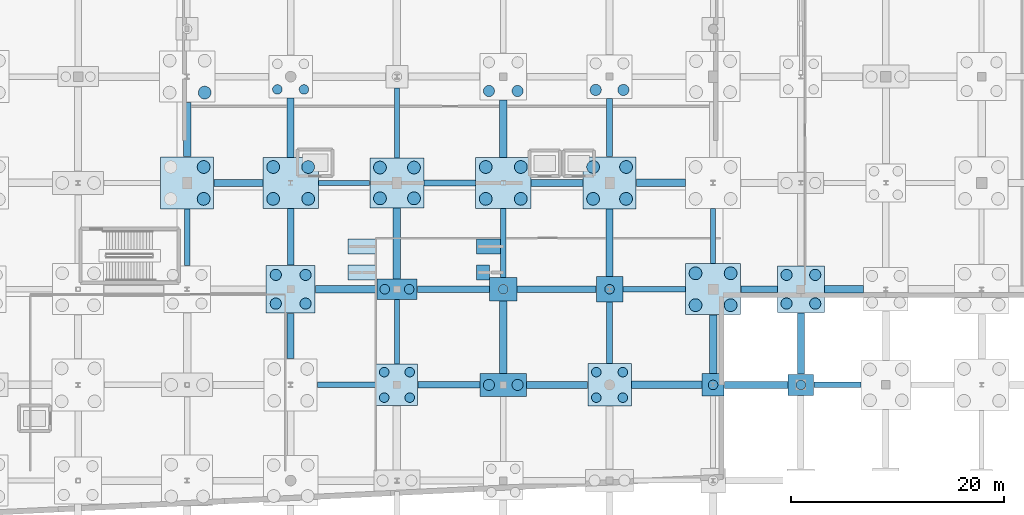
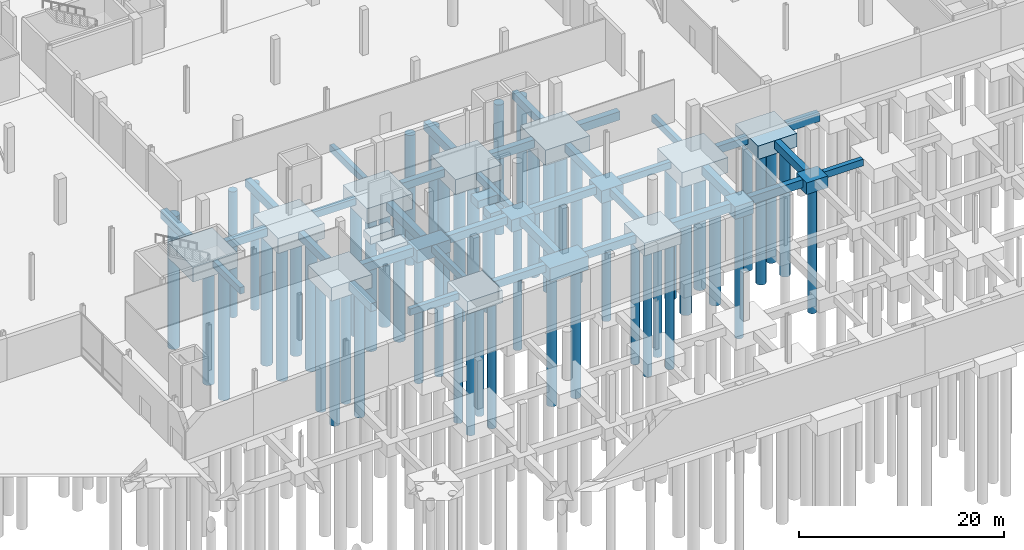
# One storey, part 5 of 60: 54 footings, 53 piles.
"""IFC4 building model written with IfcOpenShell, lengths in metres."""

from ifc_helpers import new_model, si_unit, direction, frame, origin, origin_2d, place, context, subcontext, project, spatial, rectangle, circle, extrude, material, material_profile, profile_set, type_object, element, save


model = new_model("IFC4")

# Units and contexts
model_context = context("Model", 3, precision=1e-05, world=origin(), true_north=direction((0.0, 1.0)))
body_context = subcontext(model_context, "Body", "Model", "MODEL_VIEW")
ifc_project = project(units=[si_unit("LENGTHUNIT", "METRE"), si_unit("AREAUNIT", "SQUARE_METRE"), si_unit("VOLUMEUNIT", "CUBIC_METRE"), si_unit("PLANEANGLEUNIT", "RADIAN"), si_unit("MASSUNIT", "GRAM", prefix="KILO")], contexts=[model_context])

# Site, building, storey
site_placement = place(None, origin())
site = spatial("IfcSite", under=ifc_project, at=site_placement, CompositionType="ELEMENT")
building_placement = place(site_placement, origin())
building = spatial("IfcBuilding", under=site, at=building_placement, Name="Trimount Lyric Opera House", CompositionType="ELEMENT")
storey_placement = place(building_placement, frame((0.0, 0.0, -5.39990234375)))
storey = spatial("IfcBuildingStorey", under=building, at=storey_placement, Name="B1", CompositionType="ELEMENT", Elevation=-5.39990234375)

# Footings
ifc_material_1 = material(Name="Concrete C40/50", Category="concrete")
footing_type_1 = type_object("IfcFootingType", Name="FB-01", PredefinedType="FOOTING_BEAM", material=ifc_material_1)
footing_1_placement = place(storey_placement, frame((64.260009765625, 59.02490234375, -1.60009765625), z_axis=(0.0, 0.0, 1.0), x_axis=(1.0, 0.0, 0.0)))
element("IfcFooting", 1, at=footing_1_placement, inside=storey, type_object=footing_type_1, Name="Ground tie beam Y-0156", PredefinedType="FOOTING_BEAM", context=body_context, shape_type="SweptSolid", body=[
    extrude(rectangle(XDim=0.699951171875, YDim=5.1201171875, at=origin_2d()), origin(), (0.0, 0.0, 1.0), 1.0),
])
footing_2_placement = place(storey_placement, frame((79.199951171875, 44.0, -1.60009765625), z_axis=(0.0, 0.0, 1.0), x_axis=(1.0, 0.0, 0.0)))
element("IfcFooting", 2, at=footing_2_placement, inside=storey, type_object=footing_type_1, Name="Ground tie beam X-0176", PredefinedType="FOOTING_BEAM", context=body_context, shape_type="SweptSolid", body=[
    extrude(rectangle(XDim=5.77001953125, YDim=0.699951171875, at=origin_2d()), origin(), (0.0, 0.0, 1.0), 1.0),
])
footing_3_placement = place(storey_placement, frame((84.0, 48.300048828125, -1.60009765625), z_axis=(0.0, 0.0, 1.0), x_axis=(1.0, 0.0, 0.0)))
element("IfcFooting", 3, at=footing_3_placement, inside=storey, type_object=footing_type_1, Name="Ground tie beam Y-0200", PredefinedType="FOOTING_BEAM", context=body_context, shape_type="SweptSolid", body=[
    extrude(rectangle(XDim=0.699951171875, YDim=6.669921875, at=origin_2d()), origin(), (0.0, 0.0, 1.0), 1.0),
])
footing_4_placement = place(storey_placement, frame((94.0, 39.487548828125, -1.60009765625), z_axis=(0.0, 0.0, 1.0), x_axis=(1.0, 0.0, 0.0)))
element("IfcFooting", 4, at=footing_4_placement, inside=storey, type_object=footing_type_1, Name="Ground tie beam Y-0224", PredefinedType="FOOTING_BEAM", context=body_context, shape_type="SweptSolid", body=[
    extrude(rectangle(XDim=0.699951171875, YDim=6.794921875, at=origin_2d()), origin(), (0.0, 0.0, 1.0), 1.0),
])
footing_5_placement = place(storey_placement, frame((94.0, 59.10009765625, -1.60009765625), z_axis=(0.0, 0.0, 1.0), x_axis=(1.0, 0.0, 0.0)))
element("IfcFooting", 5, at=footing_5_placement, inside=storey, type_object=footing_type_1, Name="Ground tie beam Y-0228", PredefinedType="FOOTING_BEAM", context=body_context, shape_type="SweptSolid", body=[
    extrude(rectangle(XDim=0.699951171875, YDim=5.3701171875, at=origin_2d()), origin(), (0.0, 0.0, 1.0), 1.0),
])
footing_6_placement = place(storey_placement, frame((109.3701171875, 35.0, -1.60009765625), z_axis=(0.0, 0.0, 1.0), x_axis=(1.0, 0.0, 0.0)))
element("IfcFooting", 6, at=footing_6_placement, inside=storey, type_object=footing_type_1, Name="Ground tie beam X-0248", PredefinedType="FOOTING_BEAM", context=body_context, shape_type="SweptSolid", body=[
    extrude(rectangle(XDim=6.610107421875, YDim=0.699951171875, at=origin_2d()), origin(), (0.0, 0.0, 1.0), 1.0),
])
footing_7_placement = place(storey_placement, frame((108.820068359375, 54.0, -1.60009765625), z_axis=(0.0, 0.0, 1.0), x_axis=(1.0, 0.0, 0.0)))
element("IfcFooting", 7, at=footing_7_placement, inside=storey, type_object=footing_type_1, Name="Ground tie beam X-0252", PredefinedType="FOOTING_BEAM", context=body_context, shape_type="SweptSolid", body=[
    extrude(rectangle(XDim=4.610107421875, YDim=0.699951171875, at=origin_2d()), origin(), (0.0, 0.0, 1.0), 1.0),
])
footing_8_placement = place(storey_placement, frame((113.739990234375, 38.824951171875, -1.60009765625), z_axis=(0.0, 0.0, 1.0), x_axis=(1.0, 0.0, 0.0)))
element("IfcFooting", 8, at=footing_8_placement, inside=storey, type_object=footing_type_1, Name="Ground tie beam Y-0272", PredefinedType="FOOTING_BEAM", context=body_context, shape_type="SweptSolid", body=[
    extrude(rectangle(XDim=0.699951171875, YDim=5.52001953125, at=origin_2d()), origin(), (0.0, 0.0, 1.0), 1.0),
])
footing_9_placement = place(storey_placement, frame((126.050048828125, 44.0, -1.60009765625), z_axis=(0.0, 0.0, 1.0), x_axis=(1.0, 0.0, 0.0)))
element("IfcFooting", 9, at=footing_9_placement, inside=storey, type_object=footing_type_1, Name="Ground tie beam X-0296", PredefinedType="FOOTING_BEAM", context=body_context, shape_type="SweptSolid", body=[
    extrude(rectangle(XDim=3.669921875, YDim=0.699951171875, at=origin_2d()), origin(), (0.0, 0.0, 1.0), 1.0),
])
ifc_material_2 = material(Name="Concrete C40/50", Category="concrete")
footing_type_2 = type_object("IfcFootingType", Name="FB-02", PredefinedType="FOOTING_BEAM", material=ifc_material_2)
footing_10_placement = place(storey_placement, frame((74.0, 48.925048828125, -1.5), z_axis=(0.0, 0.0, 1.0), x_axis=(1.0, 0.0, 0.0)))
element("IfcFooting", 10, at=footing_10_placement, inside=storey, type_object=footing_type_2, Name="Ground tie beam Y-0177", PredefinedType="FOOTING_BEAM", context=body_context, shape_type="SweptSolid", body=[
    extrude(rectangle(XDim=0.60009765625, YDim=5.320068359375, at=origin_2d()), origin(), (0.0, 0.0, 1.0), 0.89990234375),
])
footing_11_placement = place(storey_placement, frame((88.887451171875, 35.0, -1.5), z_axis=(0.0, 0.0, 1.0), x_axis=(1.0, 0.0, 0.0)))
element("IfcFooting", 11, at=footing_11_placement, inside=storey, type_object=footing_type_2, Name="Ground tie beam X-0197", PredefinedType="FOOTING_BEAM", context=body_context, shape_type="SweptSolid", body=[
    extrude(rectangle(XDim=5.844970703125, YDim=0.60009765625, at=origin_2d()), origin(), (0.0, 0.0, 1.0), 0.89990234375),
])
footing_12_placement = place(storey_placement, frame((88.97509765625, 54.0, -1.5), z_axis=(0.0, 0.0, 1.0), x_axis=(1.0, 0.0, 0.0)))
element("IfcFooting", 12, at=footing_12_placement, inside=storey, type_object=footing_type_2, Name="Ground tie beam X-0201", PredefinedType="FOOTING_BEAM", context=body_context, shape_type="SweptSolid", body=[
    extrude(rectangle(XDim=4.820068359375, YDim=0.60009765625, at=origin_2d()), origin(), (0.0, 0.0, 1.0), 0.89990234375),
])
footing_13_placement = place(storey_placement, frame((99.02490234375, 44.0, -1.5), z_axis=(0.0, 0.0, 1.0), x_axis=(1.0, 0.0, 0.0)))
element("IfcFooting", 13, at=footing_13_placement, inside=storey, type_object=footing_type_2, Name="Ground tie beam X-0225", PredefinedType="FOOTING_BEAM", context=body_context, shape_type="SweptSolid", body=[
    extrude(rectangle(XDim=7.419921875, YDim=0.60009765625, at=origin_2d()), origin(), (0.0, 0.0, 1.0), 0.89990234375),
])
footing_14_placement = place(storey_placement, frame((104.0, 39.89990234375, -1.5), z_axis=(0.0, 0.0, 1.0), x_axis=(1.0, 0.0, 0.0)))
element("IfcFooting", 14, at=footing_14_placement, inside=storey, type_object=footing_type_2, Name="Ground tie beam Y-0249", PredefinedType="FOOTING_BEAM", context=body_context, shape_type="SweptSolid", body=[
    extrude(rectangle(XDim=0.60009765625, YDim=5.77001953125, at=origin_2d()), origin(), (0.0, 0.0, 1.0), 0.89990234375),
])
footing_15_placement = place(storey_placement, frame((104.0, 59.199951171875, -1.5), z_axis=(0.0, 0.0, 1.0), x_axis=(1.0, 0.0, 0.0)))
element("IfcFooting", 15, at=footing_15_placement, inside=storey, type_object=footing_type_2, Name="Ground tie beam Y-0253", PredefinedType="FOOTING_BEAM", context=body_context, shape_type="SweptSolid", body=[
    extrude(rectangle(XDim=0.60009765625, YDim=5.469970703125, at=origin_2d()), origin(), (0.0, 0.0, 1.0), 0.89990234375),
])
footing_16_placement = place(storey_placement, frame((118.070068359375, 44.0, -1.5), z_axis=(0.0, 0.0, 1.0), x_axis=(1.0, 0.0, 0.0)))
element("IfcFooting", 16, at=footing_16_placement, inside=storey, type_object=footing_type_2, Name="Ground tie beam X-0273", PredefinedType="FOOTING_BEAM", context=body_context, shape_type="SweptSolid", body=[
    extrude(rectangle(XDim=3.429931640625, YDim=0.60009765625, at=origin_2d()), origin(), (0.0, 0.0, 1.0), 0.89990234375),
])
ifc_material_3 = material(Name="Concrete C40/50", Category="concrete")
footing_type_3 = type_object("IfcFootingType", Name="FB-03", PredefinedType="FOOTING_BEAM", material=ifc_material_3)
footing_17_placement = place(storey_placement, frame((64.260009765625, 48.875, -1.39990234375), z_axis=(0.0, 0.0, 1.0), x_axis=(1.0, 0.0, 0.0)))
element("IfcFooting", 17, at=footing_17_placement, inside=storey, type_object=footing_type_3, Name="Ground tie beam Y-0154", PredefinedType="FOOTING_BEAM", context=body_context, shape_type="SweptSolid", body=[
    extrude(rectangle(XDim=0.5, YDim=5.320068359375, at=origin_2d()), origin(), (0.0, 0.0, 1.0), 0.800048828125),
])
footing_18_placement = place(storey_placement, frame((79.27490234375, 35.0, -1.39990234375), z_axis=(0.0, 0.0, 1.0), x_axis=(1.0, 0.0, 0.0)))
element("IfcFooting", 18, at=footing_18_placement, inside=storey, type_object=footing_type_3, Name="Ground tie beam X-0174", PredefinedType="FOOTING_BEAM", context=body_context, shape_type="SweptSolid", body=[
    extrude(rectangle(XDim=5.52001953125, YDim=0.5, at=origin_2d()), origin(), (0.0, 0.0, 1.0), 0.800048828125),
])
footing_19_placement = place(storey_placement, frame((79.02490234375, 54.0, -1.39990234375), z_axis=(0.0, 0.0, 1.0), x_axis=(1.0, 0.0, 0.0)))
element("IfcFooting", 19, at=footing_19_placement, inside=storey, type_object=footing_type_3, Name="Ground tie beam X-0178", PredefinedType="FOOTING_BEAM", context=body_context, shape_type="SweptSolid", body=[
    extrude(rectangle(XDim=4.820068359375, YDim=0.5, at=origin_2d()), origin(), (0.0, 0.0, 1.0), 0.800048828125),
])
footing_20_placement = place(storey_placement, frame((84.0, 40.0, -1.39990234375), z_axis=(0.0, 0.0, 1.0), x_axis=(1.0, 0.0, 0.0)))
element("IfcFooting", 20, at=footing_20_placement, inside=storey, type_object=footing_type_3, Name="Ground tie beam Y-0198", PredefinedType="FOOTING_BEAM", context=body_context, shape_type="SweptSolid", body=[
    extrude(rectangle(XDim=0.5, YDim=6.070068359375, at=origin_2d()), origin(), (0.0, 0.0, 1.0), 0.800048828125),
])
footing_21_placement = place(storey_placement, frame((84.0, 59.64990234375, -1.39990234375), z_axis=(0.0, 0.0, 1.0), x_axis=(1.0, 0.0, 0.0)))
element("IfcFooting", 21, at=footing_21_placement, inside=storey, type_object=footing_type_3, Name="Ground tie beam Y-0202", PredefinedType="FOOTING_BEAM", context=body_context, shape_type="SweptSolid", body=[
    extrude(rectangle(XDim=0.5, YDim=6.570068359375, at=origin_2d()), origin(), (0.0, 0.0, 1.0), 0.800048828125),
])
footing_22_placement = place(storey_placement, frame((94.0, 48.35009765625, -1.39990234375), z_axis=(0.0, 0.0, 1.0), x_axis=(1.0, 0.0, 0.0)))
element("IfcFooting", 22, at=footing_22_placement, inside=storey, type_object=footing_type_3, Name="Ground tie beam Y-0226", PredefinedType="FOOTING_BEAM", context=body_context, shape_type="SweptSolid", body=[
    extrude(rectangle(XDim=0.5, YDim=6.469970703125, at=origin_2d()), origin(), (0.0, 0.0, 1.0), 0.800048828125),
])
footing_23_placement = place(storey_placement, frame((108.195068359375, 44.0, -1.39990234375), z_axis=(0.0, 0.0, 1.0), x_axis=(1.0, 0.0, 0.0)))
element("IfcFooting", 23, at=footing_23_placement, inside=storey, type_object=footing_type_3, Name="Ground tie beam X-0250", PredefinedType="FOOTING_BEAM", context=body_context, shape_type="SweptSolid", body=[
    extrude(rectangle(XDim=5.860107421875, YDim=0.5, at=origin_2d()), origin(), (0.0, 0.0, 1.0), 0.800048828125),
])
footing_24_placement = place(storey_placement, frame((113.739990234375, 49.0, -1.39990234375), z_axis=(0.0, 0.0, 1.0), x_axis=(1.0, 0.0, 0.0)))
element("IfcFooting", 24, at=footing_24_placement, inside=storey, type_object=footing_type_3, Name="Ground tie beam Y-0274", PredefinedType="FOOTING_BEAM", context=body_context, shape_type="SweptSolid", body=[
    extrude(rectangle(XDim=0.5, YDim=5.169921875, at=origin_2d()), origin(), (0.0, 0.0, 1.0), 0.800048828125),
])
footing_25_placement = place(storey_placement, frame((125.425048828125, 35.0, -1.39990234375), z_axis=(0.0, 0.0, 1.0), x_axis=(1.0, 0.0, 0.0)))
element("IfcFooting", 25, at=footing_25_placement, inside=storey, type_object=footing_type_3, Name="Ground tie beam X-0294", PredefinedType="FOOTING_BEAM", context=body_context, shape_type="SweptSolid", body=[
    extrude(rectangle(XDim=4.419921875, YDim=0.5, at=origin_2d()), origin(), (0.0, 0.0, 1.0), 0.800048828125),
])
ifc_material_4 = material(Name="Concrete C40/50", Category="concrete")
footing_type_4 = type_object("IfcFootingType", Name="FB-04", PredefinedType="FOOTING_BEAM", material=ifc_material_4)
footing_26_placement = place(storey_placement, frame((69.080078125, 54.0, -1.55029296875), z_axis=(0.0, 0.0, 1.0), x_axis=(1.0, 0.0, 0.0)))
element("IfcFooting", 26, at=footing_26_placement, inside=storey, type_object=footing_type_4, Name="Ground tie beam X-0155", PredefinedType="FOOTING_BEAM", context=body_context, shape_type="SweptSolid", body=[
    extrude(rectangle(XDim=4.610107421875, YDim=0.64990234375, at=origin_2d()), origin(), (0.0, 0.0, 1.0), 0.949951171875),
])
footing_27_placement = place(storey_placement, frame((74.0, 39.60009765625, -1.55029296875), z_axis=(0.0, 0.0, 1.0), x_axis=(1.0, 0.0, 0.0)))
element("IfcFooting", 27, at=footing_27_placement, inside=storey, type_object=footing_type_4, Name="Ground tie beam Y-0175", PredefinedType="FOOTING_BEAM", context=body_context, shape_type="SweptSolid", body=[
    extrude(rectangle(XDim=0.64990234375, YDim=4.27001953125, at=origin_2d()), origin(), (0.0, 0.0, 1.0), 0.949951171875),
])
footing_28_placement = place(storey_placement, frame((74.0, 59.199951171875, -1.55029296875), z_axis=(0.0, 0.0, 1.0), x_axis=(1.0, 0.0, 0.0)))
element("IfcFooting", 28, at=footing_28_placement, inside=storey, type_object=footing_type_4, Name="Ground tie beam Y-0179", PredefinedType="FOOTING_BEAM", context=body_context, shape_type="SweptSolid", body=[
    extrude(rectangle(XDim=0.64990234375, YDim=5.570068359375, at=origin_2d()), origin(), (0.0, 0.0, 1.0), 0.949951171875),
])
footing_29_placement = place(storey_placement, frame((89.300048828125, 44.0, -1.55029296875), z_axis=(0.0, 0.0, 1.0), x_axis=(1.0, 0.0, 0.0)))
element("IfcFooting", 29, at=footing_29_placement, inside=storey, type_object=footing_type_4, Name="Ground tie beam X-0199", PredefinedType="FOOTING_BEAM", context=body_context, shape_type="SweptSolid", body=[
    extrude(rectangle(XDim=6.77001953125, YDim=0.64990234375, at=origin_2d()), origin(), (0.0, 0.0, 1.0), 0.949951171875),
])
footing_30_placement = place(storey_placement, frame((99.0625, 35.0, -1.55029296875), z_axis=(0.0, 0.0, 1.0), x_axis=(1.0, 0.0, 0.0)))
element("IfcFooting", 30, at=footing_30_placement, inside=storey, type_object=footing_type_4, Name="Ground tie beam X-0223", PredefinedType="FOOTING_BEAM", context=body_context, shape_type="SweptSolid", body=[
    extrude(rectangle(XDim=5.7451171875, YDim=0.64990234375, at=origin_2d()), origin(), (0.0, 0.0, 1.0), 0.949951171875),
])
footing_31_placement = place(storey_placement, frame((99.050048828125, 54.0, -1.55029296875), z_axis=(0.0, 0.0, 1.0), x_axis=(1.0, 0.0, 0.0)))
element("IfcFooting", 31, at=footing_31_placement, inside=storey, type_object=footing_type_4, Name="Ground tie beam X-0227", PredefinedType="FOOTING_BEAM", context=body_context, shape_type="SweptSolid", body=[
    extrude(rectangle(XDim=4.8701171875, YDim=0.64990234375, at=origin_2d()), origin(), (0.0, 0.0, 1.0), 0.949951171875),
])
footing_32_placement = place(storey_placement, frame((104.0, 48.375, -1.55029296875), z_axis=(0.0, 0.0, 1.0), x_axis=(1.0, 0.0, 0.0)))
element("IfcFooting", 32, at=footing_32_placement, inside=storey, type_object=footing_type_4, Name="Ground tie beam Y-0251", PredefinedType="FOOTING_BEAM", context=body_context, shape_type="SweptSolid", body=[
    extrude(rectangle(XDim=0.64990234375, YDim=6.320068359375, at=origin_2d()), origin(), (0.0, 0.0, 1.0), 0.949951171875),
])
footing_33_placement = place(storey_placement, frame((117.794921875, 35.0, -1.55029296875), z_axis=(0.0, 0.0, 1.0), x_axis=(1.0, 0.0, 0.0)))
element("IfcFooting", 33, at=footing_33_placement, inside=storey, type_object=footing_type_4, Name="Ground tie beam X-0271", PredefinedType="FOOTING_BEAM", context=body_context, shape_type="SweptSolid", body=[
    extrude(rectangle(XDim=5.97998046875, YDim=0.64990234375, at=origin_2d()), origin(), (0.0, 0.0, 1.0), 0.949951171875),
])
footing_34_placement = place(storey_placement, frame((122.0, 38.89990234375, -1.55029296875), z_axis=(0.0, 0.0, 1.0), x_axis=(1.0, 0.0, 0.0)))
element("IfcFooting", 34, at=footing_34_placement, inside=storey, type_object=footing_type_4, Name="Ground tie beam Y-0295", PredefinedType="FOOTING_BEAM", context=body_context, shape_type="SweptSolid", body=[
    extrude(rectangle(XDim=0.64990234375, YDim=5.77001953125, at=origin_2d()), origin(), (0.0, 0.0, 1.0), 0.949951171875),
])
ifc_material_5 = material(Name="Concrete C40/50", Category="concrete")
footing_type_5 = type_object("IfcFootingType", Name="PC-04", PredefinedType="PILE_CAP", material=ifc_material_5)
footing_35_placement = place(storey_placement, frame((122.0, 44.0, -2.2001953125), z_axis=(0.0, 0.0, 1.0), x_axis=(1.0, 0.0, 0.0)))
element("IfcFooting", 35, at=footing_35_placement, inside=storey, type_object=footing_type_5, Name="Pile cap 14/F", PredefinedType="PILE_CAP", context=body_context, shape_type="SweptSolid", body=[
    extrude(rectangle(XDim=4.39990234375, YDim=4.39990234375, at=origin_2d()), origin(), (0.0, 0.0, 1.0), 1.60009765625),
])
ifc_material_6 = material(Name="Concrete C40/50", Category="concrete")
footing_type_6 = type_object("IfcFootingType", Name="PC-06", PredefinedType="PILE_CAP", material=ifc_material_6)
footing_36_placement = place(storey_placement, frame((84.0, 35.0, -2.10009765625), z_axis=(0.0, 0.0, 1.0), x_axis=(1.0, 0.0, 0.0)))
element("IfcFooting", 36, at=footing_36_placement, inside=storey, type_object=footing_type_6, Name="Pile cap 10/E", PredefinedType="PILE_CAP", context=body_context, shape_type="SweptSolid", body=[
    extrude(rectangle(XDim=3.89990234375, YDim=3.89990234375, at=origin_2d()), origin(), (0.0, 0.0, 1.0), 1.5),
])
ifc_material_7 = material(Name="Concrete C40/50", Category="concrete")
footing_type_7 = type_object("IfcFootingType", Name="PC-07", PredefinedType="PILE_CAP", material=ifc_material_7)
footing_37_placement = place(storey_placement, frame((84.0, 44.0, -2.10009765625), z_axis=(0.0, 0.0, 1.0), x_axis=(1.0, 0.0, 0.0)))
element("IfcFooting", 37, at=footing_37_placement, inside=storey, type_object=footing_type_7, Name="Pile cap 10/F", PredefinedType="PILE_CAP", context=body_context, shape_type="SweptSolid", body=[
    extrude(rectangle(XDim=3.800048828125, YDim=1.89990234375, at=origin_2d()), origin(), (0.0, 0.0, 1.0), 1.5),
])
ifc_material_8 = material(Name="Concrete C40/50", Category="concrete")
footing_type_8 = type_object("IfcFootingType", Name="PC-09", PredefinedType="PILE_CAP", material=ifc_material_8)
footing_38_placement = place(storey_placement, frame((113.739990234375, 35.0, -2.10009765625), z_axis=(0.0, 0.0, 1.0), x_axis=(1.0, 0.0, 0.0)))
element("IfcFooting", 38, at=footing_38_placement, inside=storey, type_object=footing_type_8, Name="Pile cap 13/E", PredefinedType="PILE_CAP", context=body_context, shape_type="SweptSolid", body=[
    extrude(rectangle(XDim=2.10009765625, YDim=2.10009765625, at=origin_2d()), origin(), (0.0, 0.0, 1.0), 1.5),
])
ifc_material_9 = material(Name="Concrete C40/50", Category="concrete")
footing_type_9 = type_object("IfcFootingType", Name="PC-10", PredefinedType="PILE_CAP", material=ifc_material_9)
for number, where, z_axis, x_axis, name in (
    (39, (74.0, 54.0, -2.39990234375), (0.0, 0.0, 1.0), (1.0, 0.0, 0.0), "Pile cap 9/G"),
    (40, (94.0, 54.0, -2.39990234375), (0.0, 0.0, 1.0), (1.0, 0.0, 0.0), "Pile cap 11/G"),
    (41, (113.739990234375, 44.0, -2.39990234375), (0.0, 0.0, 1.0), (1.0, 0.0, 0.0), "Pile cap 13/F"),
):
    element("IfcFooting", number, at=place(storey_placement, frame(where, z_axis=z_axis, x_axis=x_axis)), inside=storey, type_object=footing_type_9, Name=name, PredefinedType="PILE_CAP", context=body_context, shape_type="SweptSolid", body=[
        extrude(rectangle(XDim=5.199951171875, YDim=4.800048828125, at=origin_2d()), origin(), (0.0, 0.0, 1.0), 1.800048828125),
    ])
ifc_material_10 = material(Name="Concrete C40/50", Category="concrete")
footing_type_10 = type_object("IfcFootingType", Name="PC-11", PredefinedType="PILE_CAP", material=ifc_material_10)
footing_39_placement = place(storey_placement, frame((84.0, 54.0, -2.39990234375), z_axis=(0.0, 0.0, 1.0), x_axis=(1.0, 0.0, 0.0)))
element("IfcFooting", 42, at=footing_39_placement, inside=storey, type_object=footing_type_10, Name="Pile cap 10/G", PredefinedType="PILE_CAP", context=body_context, shape_type="SweptSolid", body=[
    extrude(rectangle(XDim=5.10009765625, YDim=4.699951171875, at=origin_2d()), origin(), (0.0, 0.0, 1.0), 1.800048828125),
])
ifc_material_11 = material(Name="Concrete C40/50", Category="concrete")
footing_type_11 = type_object("IfcFootingType", Name="PC-12", PredefinedType="PILE_CAP", material=ifc_material_11)
for number, where, z_axis, x_axis, name in (
    (43, (64.260009765625, 54.0, -2.39990234375), (0.0, 0.0, 1.0), (1.0, 0.0, 0.0), "Pile cap 8/G"),
    (44, (104.0, 54.0, -2.39990234375), (0.0, 0.0, 1.0), (1.0, 0.0, 0.0), "Pile cap 12/G"),
):
    element("IfcFooting", number, at=place(storey_placement, frame(where, z_axis=z_axis, x_axis=x_axis)), inside=storey, type_object=footing_type_11, Name=name, PredefinedType="PILE_CAP", context=body_context, shape_type="SweptSolid", body=[
        extrude(rectangle(XDim=5.0, YDim=4.89990234375, at=origin_2d()), origin(), (0.0, 0.0, 1.0), 1.800048828125),
    ])
ifc_material_12 = material(Name="Concrete C40/50", Category="concrete")
footing_type_12 = type_object("IfcFootingType", Name="PC-13", PredefinedType="PILE_CAP", material=ifc_material_12)
footing_40_placement = place(storey_placement, frame((74.0, 44.0, -2.2001953125), z_axis=(0.0, 0.0, 1.0), x_axis=(1.0, 0.0, 0.0)))
element("IfcFooting", 45, at=footing_40_placement, inside=storey, type_object=footing_type_12, Name="Pile cap 9/F", PredefinedType="PILE_CAP", context=body_context, shape_type="SweptSolid", body=[
    extrude(rectangle(XDim=4.60009765625, YDim=4.5, at=origin_2d()), origin(), (0.0, 0.0, 1.0), 1.60009765625),
])
ifc_material_13 = material(Name="Concrete C40/50", Category="concrete")
footing_type_13 = type_object("IfcFootingType", Name="PC-15", PredefinedType="PILE_CAP", material=ifc_material_13)
footing_41_placement = place(storey_placement, frame((104.0, 35.0, -2.10009765625), z_axis=(0.0, 0.0, 1.0), x_axis=(1.0, 0.0, 0.0)))
element("IfcFooting", 46, at=footing_41_placement, inside=storey, type_object=footing_type_13, Name="Pile cap 12/E", PredefinedType="PILE_CAP", context=body_context, shape_type="SweptSolid", body=[
    extrude(rectangle(XDim=4.10009765625, YDim=4.0, at=origin_2d()), origin(), (0.0, 0.0, 1.0), 1.5),
])
ifc_material_14 = material(Name="Concrete C40/50", Category="concrete")
footing_type_14 = type_object("IfcFootingType", Name="PC-16", PredefinedType="PILE_CAP", material=ifc_material_14)
footing_42_placement = place(storey_placement, frame((104.0, 44.0, -2.10009765625), z_axis=(0.0, 0.0, 1.0), x_axis=(1.0, 0.0, 0.0)))
element("IfcFooting", 47, at=footing_42_placement, inside=storey, type_object=footing_type_14, Name="Pile cap 12/F", PredefinedType="PILE_CAP", context=body_context, shape_type="SweptSolid", body=[
    extrude(rectangle(XDim=2.5, YDim=2.39990234375, at=origin_2d()), origin(), (0.0, 0.0, 1.0), 1.5),
])
ifc_material_15 = material(Name="Concrete C40/50", Category="concrete")
footing_type_15 = type_object("IfcFootingType", Name="PC-20", PredefinedType="PILE_CAP", material=ifc_material_15)
footing_43_placement = place(storey_placement, frame((94.0, 35.0, -2.25), z_axis=(0.0, 0.0, 1.0), x_axis=(1.0, 0.0, 0.0)))
element("IfcFooting", 48, at=footing_43_placement, inside=storey, type_object=footing_type_15, Name="Pile cap 11/E", PredefinedType="PILE_CAP", context=body_context, shape_type="SweptSolid", body=[
    extrude(rectangle(XDim=4.35009765625, YDim=2.14990234375, at=origin_2d()), origin(), (0.0, 0.0, 1.0), 1.64990234375),
])
ifc_material_16 = material(Name="Concrete C40/50", Category="concrete")
footing_type_16 = type_object("IfcFootingType", Name="PC-21", PredefinedType="PILE_CAP", material=ifc_material_16)
footing_44_placement = place(storey_placement, frame((94.0, 44.0, -2.05029296875), z_axis=(0.0, 0.0, 1.0), x_axis=(1.0, 0.0, 0.0)))
element("IfcFooting", 49, at=footing_44_placement, inside=storey, type_object=footing_type_16, Name="Pile cap 11/F", PredefinedType="PILE_CAP", context=body_context, shape_type="SweptSolid", body=[
    extrude(rectangle(XDim=2.60009765625, YDim=2.199951171875, at=origin_2d()), origin(), (0.0, 0.0, 1.0), 1.449951171875),
])
ifc_material_17 = material(Name="Concrete C40/50", Category="concrete")
footing_type_17 = type_object("IfcFootingType", Name="PC-22", PredefinedType="PILE_CAP", material=ifc_material_17)
footing_45_placement = place(storey_placement, frame((122.0, 35.0, -2.0), z_axis=(0.0, 0.0, 1.0), x_axis=(1.0, 0.0, 0.0)))
element("IfcFooting", 50, at=footing_45_placement, inside=storey, type_object=footing_type_17, Name="Pile cap 14/E", PredefinedType="PILE_CAP", context=body_context, shape_type="SweptSolid", body=[
    extrude(rectangle(XDim=2.39990234375, YDim=2.0, at=origin_2d()), origin(), (0.0, 0.0, 1.0), 1.39990234375),
])

# Piles
ifc_material_18 = material(Name="Concrete C40/50", Category="concrete")
ifc_material_profile_1 = material_profile(ifc_material_18, circle(Radius=0.52490234375, at=origin_2d()), Name="PILE-D1050")
ifc_profile_set_1 = profile_set([ifc_material_profile_1], Name="Concrete C40/50")
pile_type_1 = type_object("IfcPileType", Name="PL-1050", PredefinedType="BORED", material=ifc_profile_set_1)
for number, where, z_axis, x_axis, name in (
    (51, (72.60009765625, 42.64990234375, -2.10009765625), (0.0, 0.0, -1.0), (1.0, 0.0, 0.0), "Bored pile 0309"),
    (52, (75.39990234375, 42.64990234375, -2.10009765625), (0.0, 0.0, -1.0), (1.0, 0.0, 0.0), "Bored pile 0310"),
    (53, (72.60009765625, 45.35009765625, -2.10009765625), (0.0, 0.0, -1.0), (1.0, 0.0, 0.0), "Bored pile 0311"),
    (54, (75.39990234375, 45.35009765625, -2.10009765625), (0.0, 0.0, -1.0), (1.0, 0.0, 0.0), "Bored pile 0312"),
    (55, (92.64990234375, 35.0, -2.150146484375), (0.0, 0.0, -1.0), (1.0, 0.0, 0.0), "Bored pile 0392"),
    (56, (95.35009765625, 35.0, -2.150146484375), (0.0, 0.0, -1.0), (1.0, 0.0, 0.0), "Bored pile 0393"),
    (57, (92.64990234375, 62.64990234375, -2.10009765625), (0.0, 0.0, -1.0), (1.0, 0.0, 0.0), "Bored pile 0399"),
    (58, (95.35009765625, 62.64990234375, -2.10009765625), (0.0, 0.0, -1.0), (1.0, 0.0, 0.0), "Bored pile 0400"),
    (59, (102.699951171875, 62.75, -2.050048828125), (0.0, 0.0, -1.0), (1.0, 0.0, 0.0), "Bored pile 0440"),
    (60, (105.300048828125, 62.75, -2.050048828125), (0.0, 0.0, -1.0), (1.0, 0.0, 0.0), "Bored pile 0441"),
    (61, (120.64990234375, 42.64990234375, -2.10009765625), (0.0, 0.0, -1.0), (1.0, 0.0, 0.0), "Bored pile 0512"),
    (62, (123.35009765625, 42.64990234375, -2.10009765625), (0.0, 0.0, -1.0), (1.0, 0.0, 0.0), "Bored pile 0513"),
    (63, (120.64990234375, 45.35009765625, -2.10009765625), (0.0, 0.0, -1.0), (1.0, 0.0, 0.0), "Bored pile 0514"),
    (64, (123.35009765625, 45.35009765625, -2.10009765625), (0.0, 0.0, -1.0), (1.0, 0.0, 0.0), "Bored pile 0515"),
):
    element("IfcPile", number, at=place(storey_placement, frame(where, z_axis=z_axis, x_axis=x_axis)), inside=storey, type_object=pile_type_1, Name=name, PredefinedType="BORED", context=body_context, shape_type="SweptSolid", body=[
        extrude(circle(Radius=0.52490234375, at=origin_2d()), origin(), (0.0, 0.0, 1.0), 15.5),
    ])
ifc_material_19 = material(Name="Concrete C40/50", Category="concrete")
ifc_material_profile_2 = material_profile(ifc_material_19, circle(Radius=0.60009765625, at=origin_2d()), Name="PILE-D1200")
ifc_profile_set_2 = profile_set([ifc_material_profile_2], Name="Concrete C40/50")
pile_type_2 = type_object("IfcPileType", Name="PL-1200", PredefinedType="BORED", material=ifc_profile_set_2)
for number, where, z_axis, x_axis, name in (
    (65, (65.81005859375, 52.5, -2.300048828125), (0.0, 0.0, -1.0), (1.0, 0.0, 0.0), "Bored pile 0268"),
    (66, (65.81005859375, 55.5, -2.300048828125), (0.0, 0.0, -1.0), (1.0, 0.0, 0.0), "Bored pile 0270"),
    (67, (65.909912109375, 62.5, -2.300048828125), (0.0, 0.0, -1.0), (1.0, 0.0, 0.0), "Bored pile 0272"),
    (68, (72.35009765625, 52.5, -2.300048828125), (0.0, 0.0, -1.0), (1.0, 0.0, 0.0), "Bored pile 0313"),
    (69, (75.64990234375, 52.5, -2.300048828125), (0.0, 0.0, -1.0), (1.0, 0.0, 0.0), "Bored pile 0314"),
    (70, (72.35009765625, 55.5, -2.300048828125), (0.0, 0.0, -1.0), (1.0, 0.0, 0.0), "Bored pile 0315"),
    (71, (75.64990234375, 55.5, -2.300048828125), (0.0, 0.0, -1.0), (1.0, 0.0, 0.0), "Bored pile 0316"),
    (72, (82.39990234375, 52.550048828125, -2.300048828125), (0.0, 0.0, -1.0), (1.0, 0.0, 0.0), "Bored pile 0352"),
    (73, (85.60009765625, 52.550048828125, -2.300048828125), (0.0, 0.0, -1.0), (1.0, 0.0, 0.0), "Bored pile 0353"),
    (74, (82.39990234375, 55.449951171875, -2.300048828125), (0.0, 0.0, -1.0), (1.0, 0.0, 0.0), "Bored pile 0354"),
    (75, (85.60009765625, 55.449951171875, -2.300048828125), (0.0, 0.0, -1.0), (1.0, 0.0, 0.0), "Bored pile 0355"),
    (76, (92.35009765625, 52.5, -2.300048828125), (0.0, 0.0, -1.0), (1.0, 0.0, 0.0), "Bored pile 0395"),
    (77, (95.64990234375, 52.5, -2.300048828125), (0.0, 0.0, -1.0), (1.0, 0.0, 0.0), "Bored pile 0396"),
    (78, (92.35009765625, 55.5, -2.300048828125), (0.0, 0.0, -1.0), (1.0, 0.0, 0.0), "Bored pile 0397"),
    (79, (95.64990234375, 55.5, -2.300048828125), (0.0, 0.0, -1.0), (1.0, 0.0, 0.0), "Bored pile 0398"),
    (80, (102.449951171875, 52.5, -2.300048828125), (0.0, 0.0, -1.0), (1.0, 0.0, 0.0), "Bored pile 0436"),
    (81, (105.550048828125, 52.5, -2.300048828125), (0.0, 0.0, -1.0), (1.0, 0.0, 0.0), "Bored pile 0437"),
    (82, (102.449951171875, 55.5, -2.300048828125), (0.0, 0.0, -1.0), (1.0, 0.0, 0.0), "Bored pile 0438"),
    (83, (105.550048828125, 55.5, -2.300048828125), (0.0, 0.0, -1.0), (1.0, 0.0, 0.0), "Bored pile 0439"),
    (84, (112.090087890625, 42.5, -2.300048828125), (0.0, 0.0, -1.0), (1.0, 0.0, 0.0), "Bored pile 0468"),
    (85, (115.389892578125, 42.5, -2.300048828125), (0.0, 0.0, -1.0), (1.0, 0.0, 0.0), "Bored pile 0469"),
    (86, (112.090087890625, 45.5, -2.300048828125), (0.0, 0.0, -1.0), (1.0, 0.0, 0.0), "Bored pile 0470"),
    (87, (115.389892578125, 45.5, -2.300048828125), (0.0, 0.0, -1.0), (1.0, 0.0, 0.0), "Bored pile 0471"),
):
    element("IfcPile", number, at=place(storey_placement, frame(where, z_axis=z_axis, x_axis=x_axis)), inside=storey, type_object=pile_type_2, Name=name, PredefinedType="BORED", context=body_context, shape_type="SweptSolid", body=[
        extrude(circle(Radius=0.60009765625, at=origin_2d()), origin(), (0.0, 0.0, 1.0), 15.800048828125),
    ])
ifc_material_20 = material(Name="Concrete C40/50", Category="concrete")
ifc_material_profile_3 = material_profile(ifc_material_20, circle(Radius=0.449951171875, at=origin_2d()), Name="PILE-D900")
ifc_profile_set_3 = profile_set([ifc_material_profile_3], Name="Concrete C40/50")
pile_type_3 = type_object("IfcPileType", Name="PL-900", PredefinedType="BORED", material=ifc_profile_set_3)
for number, where, z_axis, x_axis, name in (
    (88, (72.75, 62.800048828125, -2.0), (0.0, 0.0, -1.0), (1.0, 0.0, 0.0), "Bored pile 0317"),
    (89, (75.25, 62.800048828125, -2.0), (0.0, 0.0, -1.0), (1.0, 0.0, 0.0), "Bored pile 0318"),
    (90, (82.800048828125, 33.800048828125, -2.0), (0.0, 0.0, -1.0), (1.0, 0.0, 0.0), "Bored pile 0346"),
    (91, (85.199951171875, 33.800048828125, -2.0), (0.0, 0.0, -1.0), (1.0, 0.0, 0.0), "Bored pile 0347"),
    (92, (82.800048828125, 36.199951171875, -2.0), (0.0, 0.0, -1.0), (1.0, 0.0, 0.0), "Bored pile 0348"),
    (93, (85.199951171875, 36.199951171875, -2.0), (0.0, 0.0, -1.0), (1.0, 0.0, 0.0), "Bored pile 0349"),
    (94, (82.85009765625, 44.0, -2.0), (0.0, 0.0, -1.0), (1.0, 0.0, 0.0), "Bored pile 0350"),
    (95, (85.14990234375, 44.0, -2.0), (0.0, 0.0, -1.0), (1.0, 0.0, 0.0), "Bored pile 0351"),
    (96, (94.0, 44.0, -1.9501953125), (0.0, 0.0, -1.0), (1.0, 0.0, 0.0), "Bored pile 0394"),
    (97, (102.75, 33.800048828125, -2.0), (0.0, 0.0, -1.0), (1.0, 0.0, 0.0), "Bored pile 0431"),
    (98, (105.25, 33.800048828125, -2.0), (0.0, 0.0, -1.0), (1.0, 0.0, 0.0), "Bored pile 0432"),
    (99, (102.75, 36.199951171875, -2.0), (0.0, 0.0, -1.0), (1.0, 0.0, 0.0), "Bored pile 0433"),
    (100, (105.25, 36.199951171875, -2.0), (0.0, 0.0, -1.0), (1.0, 0.0, 0.0), "Bored pile 0434"),
    (101, (104.0, 44.0, -2.0), (0.0, 0.0, -1.0), (1.0, 0.0, 0.0), "Bored pile 0435"),
    (102, (113.739990234375, 35.0, -2.0), (0.0, 0.0, -1.0), (1.0, 0.0, 0.0), "Bored pile 0467"),
    (103, (122.0, 35.0, -1.900146484375), (0.0, 0.0, -1.0), (1.0, 0.0, 0.0), "Bored pile 0511"),
):
    element("IfcPile", number, at=place(storey_placement, frame(where, z_axis=z_axis, x_axis=x_axis)), inside=storey, type_object=pile_type_3, Name=name, PredefinedType="BORED", context=body_context, shape_type="SweptSolid", body=[
        extrude(circle(Radius=0.449951171875, at=origin_2d()), origin(), (0.0, 0.0, 1.0), 15.0),
    ])

# Footings
ifc_material_21 = material(Name="Concrete C40/50", Category="concrete")
footing_type_18 = type_object("IfcFootingType", Name="SF-01", PredefinedType="STRIP_FOOTING", material=ifc_material_21)
for number, where, z_axis, x_axis, name in (
    (104, (80.719970703125, 45.56494140625, -1.5), (0.0, 0.0, 1.0), (1.0, 0.0, 0.0), "Concourse Roof-Garden Gallery Stair fin pier strip footing S"),
    (105, (80.719970703125, 48.034912109375, -1.5), (0.0, 0.0, 1.0), (1.0, 0.0, 0.0), "Concourse Roof-Garden Gallery Stair fin pier strip footing N"),
):
    element("IfcFooting", number, at=place(storey_placement, frame(where, z_axis=z_axis, x_axis=x_axis)), inside=storey, type_object=footing_type_18, Name=name, PredefinedType="STRIP_FOOTING", context=body_context, shape_type="SweptSolid", body=[
        extrude(rectangle(XDim=2.699951171875, YDim=1.39990234375, at=origin_2d()), origin(), (0.0, 0.0, 1.0), 0.89990234375),
    ])
footing_46_placement = place(storey_placement, frame((92.077392578125, 45.56494140625, -1.5), z_axis=(0.0, 0.0, 1.0), x_axis=(1.0, 0.0, 0.0)))
element("IfcFooting", 106, at=footing_46_placement, inside=storey, type_object=footing_type_18, Name="Winter-Garden East Promenade Stair fin pier strip footing S", PredefinedType="STRIP_FOOTING", context=body_context, shape_type="SweptSolid", body=[
    extrude(rectangle(XDim=1.215087890625, YDim=1.39990234375, at=origin_2d()), origin(), (0.0, 0.0, 1.0), 0.89990234375),
])
footing_47_placement = place(storey_placement, frame((92.6025390625, 48.034912109375, -1.5), z_axis=(0.0, 0.0, 1.0), x_axis=(1.0, 0.0, 0.0)))
element("IfcFooting", 107, at=footing_47_placement, inside=storey, type_object=footing_type_18, Name="Winter-Garden East Promenade Stair fin pier strip footing N", PredefinedType="STRIP_FOOTING", context=body_context, shape_type="SweptSolid", body=[
    extrude(rectangle(XDim=2.264892578125, YDim=1.39990234375, at=origin_2d()), origin(), (0.0, 0.0, 1.0), 0.89990234375),
])

save(model, "model.ifc")
